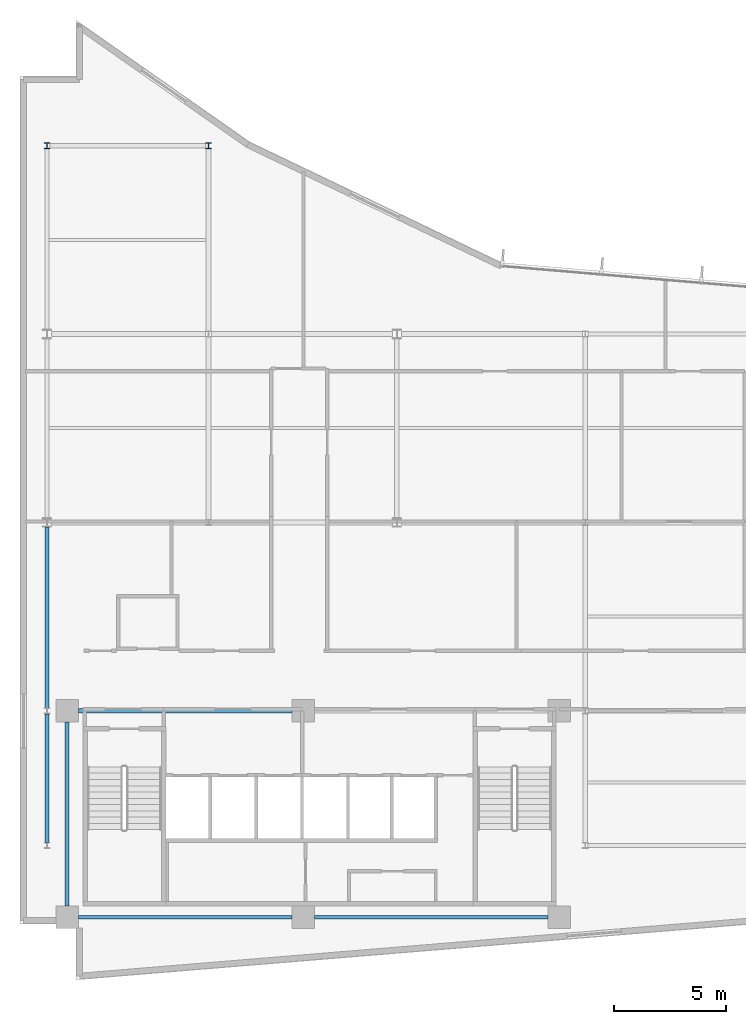
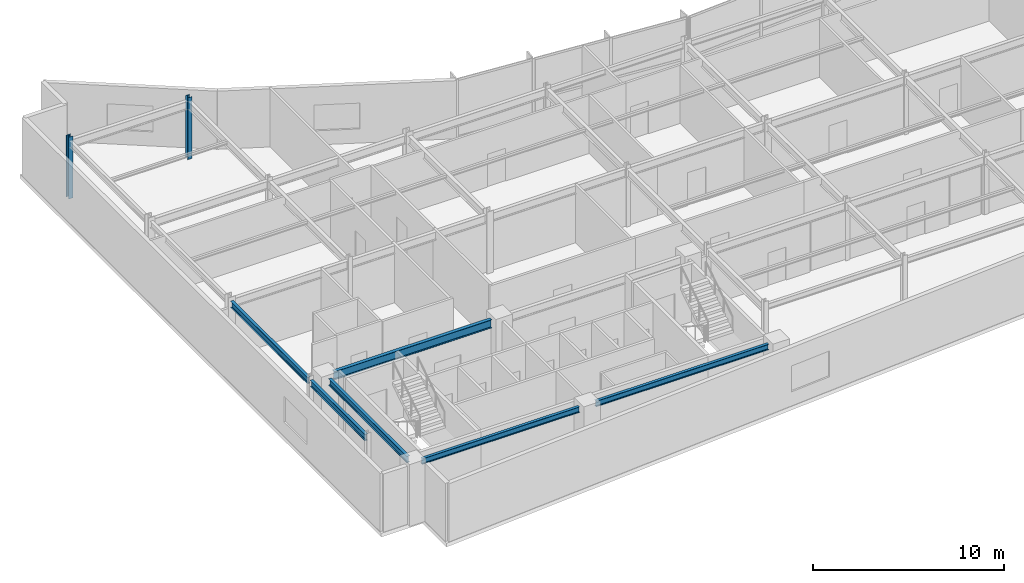
# One storey, part 3 of 14: 6 beams, 2 columns.
"""IFC4 building model written with IfcOpenShell, lengths in metres."""

from ifc_helpers import new_model, si_unit, direction, frame, origin, origin_2d, place, context, subcontext, project, spatial, i_section, extrude, material, material_profile, profile_set, type_object, element, save


model = new_model("IFC4")

# Units and contexts
model_context = context("Model", 3, precision=1e-05, world=origin(), true_north=direction((0.0, 1.0)))
body_context = subcontext(model_context, "Body", "Model", "MODEL_VIEW")
ifc_project = project(units=[si_unit("LENGTHUNIT", "METRE"), si_unit("AREAUNIT", "SQUARE_METRE"), si_unit("VOLUMEUNIT", "CUBIC_METRE"), si_unit("PLANEANGLEUNIT", "RADIAN"), si_unit("MASSUNIT", "GRAM", prefix="KILO")], contexts=[model_context])

# Site, building, storey
site_placement = place(None, origin())
site = spatial("IfcSite", under=ifc_project, at=site_placement, CompositionType="ELEMENT")
building_placement = place(site_placement, origin())
building = spatial("IfcBuilding", under=site, at=building_placement, Name="Varnakote Quay Hospital", CompositionType="ELEMENT")
storey_placement = place(building_placement, frame((0.0, 0.0, 215.800048828125)))
storey = spatial("IfcBuildingStorey", under=building, at=storey_placement, Name="L53", CompositionType="ELEMENT", Elevation=215.800048828125)

# Columns
ifc_material_1 = material(Name="Structural steel AS/NZS 3679.1 Grade 350 L0 (fy 340 MPa)", Category="steel")
ifc_material_profile_1 = material_profile(ifc_material_1, i_section(OverallWidth=0.256103515625, OverallDepth=0.260009765625, WebThickness=0.010498046875, FlangeThickness=0.017333984375, FilletRadius=0.0126953125, at=origin_2d()), Name="250UC89.5")
ifc_profile_set_1 = profile_set([ifc_material_profile_1], Name="Structural steel AS/NZS 3679.1 Grade 350 L0 (fy 340 MPa)")
column_type = type_object("IfcColumnType", Name="COL-STL-250UC89-5", PredefinedType="COLUMN", material=ifc_profile_set_1)
for number, where, z_axis, x_axis, name in (
    (1, (1.199951171875, 37.199951171875, 0.0), (0.0, 0.0, 1.0), (1.0, 0.0, 0.0), "L53 Structural Column C-1-37"),
    (2, (8.39990234375, 37.199951171875, 0.0), (0.0, 0.0, 1.0), (1.0, 0.0, 0.0), "L53 Structural Column C-8-37"),
):
    element("IfcColumn", number, at=place(storey_placement, frame(where, z_axis=z_axis, x_axis=x_axis)), inside=storey, type_object=column_type, Name=name, PredefinedType="COLUMN", context=body_context, shape_type="SweptSolid", body=[
        extrude(i_section(OverallWidth=0.256103515625, OverallDepth=0.260009765625, WebThickness=0.010498046875, FlangeThickness=0.017333984375, FilletRadius=0.0126953125, at=origin_2d()), origin(), (0.0, 0.0, 1.0), 3.949951171875),
    ])

# Beams
ifc_material_2 = material(Name="Structural steel AS/NZS 3679.1 Grade 350 L0 (fy 340 MPa)", Category="steel")
ifc_material_profile_2 = material_profile(ifc_material_2, i_section(OverallWidth=0.208984375, OverallDepth=0.532958984375, WebThickness=0.01025390625, FlangeThickness=0.015625, FilletRadius=0.013916015625, at=origin_2d()), Name="530UB92.4")
ifc_profile_set_2 = profile_set([ifc_material_profile_2], Name="Structural steel AS/NZS 3679.1 Grade 350 L0 (fy 340 MPa)")
beam_type_1 = type_object("IfcBeamType", Name="BM-STL-530UB92-4", PredefinedType="BEAM", material=ifc_profile_set_2)
beam_1_placement = place(storey_placement, frame((2.60009765625, 12.0, 3.443359375), z_axis=(1.0, 0.0, 0.0), x_axis=(0.0, 1.0, 0.0)))
element("IfcBeam", 3, at=beam_1_placement, inside=storey, type_object=beam_type_1, Name="L53 Primary Floor Beam", PredefinedType="BEAM", context=body_context, shape_type="SweptSolid", body=[
    extrude(i_section(OverallWidth=0.208984375, OverallDepth=0.532958984375, WebThickness=0.01025390625, FlangeThickness=0.015625, FilletRadius=0.013916015625, at=origin_2d()), origin(), (0.0, 0.0, 1.0), 9.52001953125),
])
ifc_material_3 = material(Name="Structural steel AS/NZS 3679.1 Grade 350 L0 (fy 340 MPa)", Category="steel")
ifc_material_profile_3 = material_profile(ifc_material_3, i_section(OverallWidth=0.172119140625, OverallDepth=0.35888671875, WebThickness=0.008056640625, FlangeThickness=0.012939453125, FilletRadius=0.011474609375, at=origin_2d()), Name="360UB56.7")
ifc_profile_set_3 = profile_set([ifc_material_profile_3], Name="Structural steel AS/NZS 3679.1 Grade 350 L0 (fy 340 MPa)")
beam_type_2 = type_object("IfcBeamType", Name="SPN-STL-360UB56-7", PredefinedType="SPANDREL", material=ifc_profile_set_3)
beam_2_placement = place(storey_placement, frame((2.60009765625, 2.800048828125, 3.530517578125), z_axis=(1.0, 0.0, 0.0), x_axis=(0.0, 1.0, 0.0)))
element("IfcBeam", 4, at=beam_2_placement, inside=storey, type_object=beam_type_2, Name="L53 Perimeter Spandrel Beam", PredefinedType="SPANDREL", context=body_context, shape_type="SweptSolid", body=[
    extrude(i_section(OverallWidth=0.172119140625, OverallDepth=0.35888671875, WebThickness=0.008056640625, FlangeThickness=0.012939453125, FilletRadius=0.011474609375, at=origin_2d()), origin(), (0.0, 0.0, 1.0), 9.52001953125),
])
beam_3_placement = place(storey_placement, frame((13.1201171875, 2.800048828125, 3.530517578125), z_axis=(1.0, 0.0, 0.0), x_axis=(0.0, 1.0, 0.0)))
element("IfcBeam", 5, at=beam_3_placement, inside=storey, type_object=beam_type_2, Name="L53 Perimeter Spandrel Beam", PredefinedType="SPANDREL", context=body_context, shape_type="SweptSolid", body=[
    extrude(i_section(OverallWidth=0.172119140625, OverallDepth=0.35888671875, WebThickness=0.008056640625, FlangeThickness=0.012939453125, FilletRadius=0.011474609375, at=origin_2d()), origin(), (0.0, 0.0, 1.0), 10.429931640625),
])
ifc_material_4 = material(Name="Structural steel AS/NZS 3679.1 Grade 350 L0 (fy 340 MPa)", Category="steel")
ifc_material_profile_4 = material_profile(ifc_material_4, i_section(OverallWidth=0.177978515625, OverallDepth=0.403076171875, WebThickness=0.007568359375, FlangeThickness=0.010986328125, FilletRadius=0.011474609375, at=origin_2d()), Name="410UB53.7")
ifc_profile_set_4 = profile_set([ifc_material_profile_4], Name="Structural steel AS/NZS 3679.1 Grade 350 L0 (fy 340 MPa)")
beam_type_3 = type_object("IfcBeamType", Name="SPN-STL-410UB53-7", PredefinedType="SPANDREL", material=ifc_profile_set_4)
beam_4_placement = place(storey_placement, frame((1.199951171875, 6.1298828125, 3.508544921875), z_axis=(0.0, 1.0, 0.0), x_axis=(-1.0, 0.0, 0.0)))
element("IfcBeam", 6, at=beam_4_placement, inside=storey, type_object=beam_type_3, Name="L53 Perimeter Spandrel Beam", PredefinedType="SPANDREL", context=body_context, shape_type="SweptSolid", body=[
    extrude(i_section(OverallWidth=0.177978515625, OverallDepth=0.403076171875, WebThickness=0.007568359375, FlangeThickness=0.010986328125, FilletRadius=0.011474609375, at=origin_2d()), origin(), (0.0, 0.0, 1.0), 5.740234375),
])
beam_5_placement = place(storey_placement, frame((1.199951171875, 12.1298828125, 3.508544921875), z_axis=(0.0, 1.0, 0.0), x_axis=(-1.0, 0.0, 0.0)))
element("IfcBeam", 7, at=beam_5_placement, inside=storey, type_object=beam_type_3, Name="L53 Perimeter Spandrel Beam", PredefinedType="SPANDREL", context=body_context, shape_type="SweptSolid", body=[
    extrude(i_section(OverallWidth=0.177978515625, OverallDepth=0.403076171875, WebThickness=0.007568359375, FlangeThickness=0.010986328125, FilletRadius=0.011474609375, at=origin_2d()), origin(), (0.0, 0.0, 1.0), 8.068115234375),
])
beam_6_placement = place(storey_placement, frame((2.10009765625, 3.300048828125, 3.508544921875), z_axis=(0.0, 1.0, 0.0), x_axis=(-1.0, 0.0, 0.0)))
element("IfcBeam", 8, at=beam_6_placement, inside=storey, type_object=beam_type_3, Name="L53 Perimeter Spandrel Beam", PredefinedType="SPANDREL", context=body_context, shape_type="SweptSolid", body=[
    extrude(i_section(OverallWidth=0.177978515625, OverallDepth=0.403076171875, WebThickness=0.007568359375, FlangeThickness=0.010986328125, FilletRadius=0.011474609375, at=origin_2d()), origin(), (0.0, 0.0, 1.0), 8.199951171875),
])

save(model, "model.ifc")
